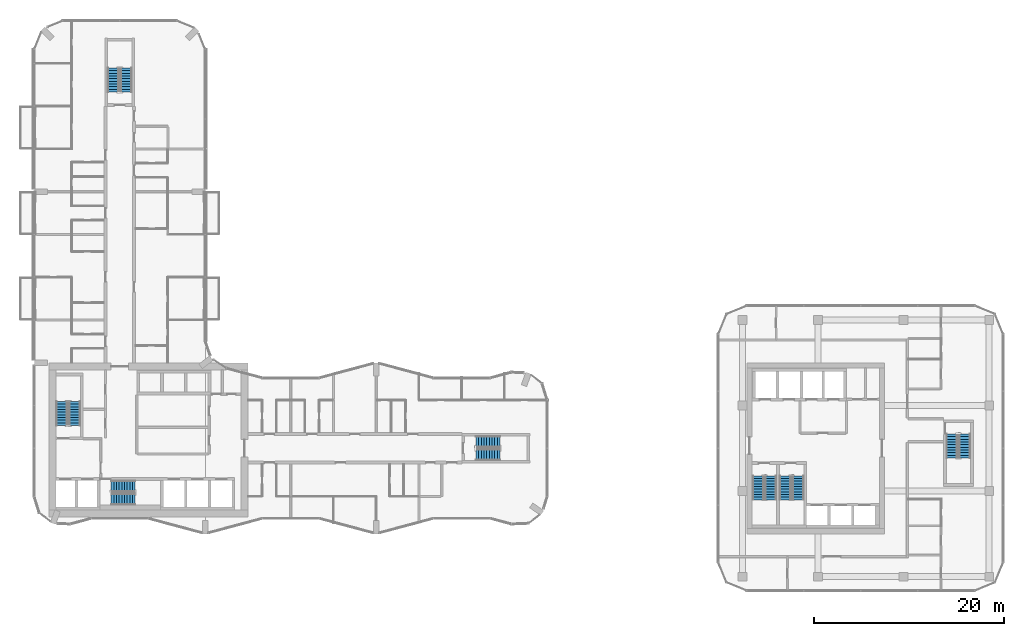
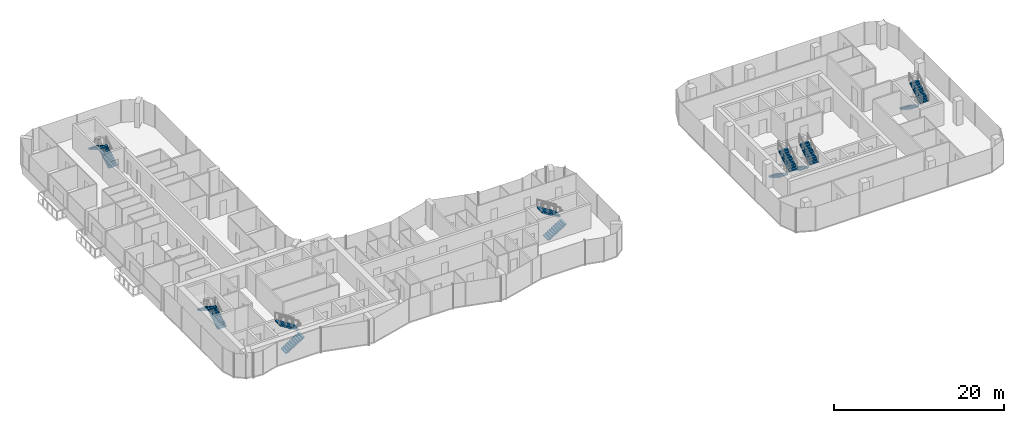
# One storey, part 20 of 23: 14 stair flights, 7 elements without a shape of their own.
"""IFC4 building model written with IfcOpenShell, lengths in metres."""

from ifc_helpers import new_model, si_unit, direction, frame, origin, place, context, subcontext, project, spatial, polyline, outline, extrude, material, type_object, element, aggregate, save


model = new_model("IFC4")

# Units and contexts
model_context = context("Model", 3, precision=1e-05, world=origin(), true_north=direction((0.0, 1.0)))
body_context = subcontext(model_context, "Body", "Model", "MODEL_VIEW")
ifc_project = project(units=[si_unit("LENGTHUNIT", "METRE"), si_unit("AREAUNIT", "SQUARE_METRE"), si_unit("VOLUMEUNIT", "CUBIC_METRE"), si_unit("PLANEANGLEUNIT", "RADIAN"), si_unit("MASSUNIT", "GRAM", prefix="KILO")], contexts=[model_context])

# Site, building, storey
site_placement = place(None, origin())
site = spatial("IfcSite", under=ifc_project, at=site_placement, CompositionType="ELEMENT")
building_placement = place(site_placement, origin())
building = spatial("IfcBuilding", under=site, at=building_placement, Name="Plateau Cross Towers", CompositionType="ELEMENT")
storey_placement = place(building_placement, frame((0.0, 0.0, 33.800048828125)))
storey = spatial("IfcBuildingStorey", under=building, at=storey_placement, Name="L07", CompositionType="ELEMENT", Elevation=33.800048828125)

# Stair, stair flights
ifc_material = material(Name="Concrete C40/50", Category="concrete")
stair_type = type_object("IfcStairType", Name="ST-TWR", PredefinedType="HALF_TURN_STAIR", material=ifc_material)
stair_1_placement = place(storey_placement, origin())
stair_1 = element("IfcStair", 1, at=stair_1_placement, inside=storey, type_object=stair_type, Name="L07 Protected Exit Stair ST-1", PredefinedType="HALF_TURN_STAIR")
stair_flight_type = type_object("IfcStairFlightType", Name="SFL-RC", PredefinedType="STRAIGHT", material=ifc_material)
stair_flight_1_placement = place(storey_placement, frame((4.25, 11.39990234375, 0.0), z_axis=(0.0, 0.0, 1.0), x_axis=(0.0, 1.0, 0.0)))
stair_flight_1 = element("IfcStairFlight", 2, at=stair_flight_1_placement, type_object=stair_flight_type, Name="ST-1 flight 1", NumberOfRisers=10, NumberOfTreads=9, PredefinedType="STRAIGHT", RiserHeight=0.175, TreadLength=0.28, context=body_context, shape_type="SweptSolid", body=[
    extrude(outline(polyline([(-0.0048828125, -0.010009765625), (-0.0048828125, 0.0), (0.0, 0.0), (0.0, 0.175048828125), (0.280029296875, 0.175048828125), (0.280029296875, 0.35009765625), (0.56005859375, 0.35009765625), (0.56005859375, 0.52490234375), (0.840087890625, 0.52490234375), (0.840087890625, 0.699951171875), (1.1201171875, 0.699951171875), (1.1201171875, 0.875), (1.39990234375, 0.875), (1.39990234375, 1.050048828125), (1.679931640625, 1.050048828125), (1.679931640625, 1.22509765625), (1.9599609375, 1.22509765625), (1.9599609375, 1.39990234375), (2.239990234375, 1.39990234375), (2.239990234375, 1.574951171875), (2.52001953125, 1.574951171875), (2.52490234375, 1.56494140625), (2.52490234375, 1.398193359375), (2.52001953125, 1.398193359375), (0.28271484375, 0.0), (0.02001953125, 0.0), (0.02001953125, -0.010009765625), (-0.0048828125, -0.010009765625)])), frame((0.0, 0.60009765625, 0.0), z_axis=(0.0, -1.0, 0.0), x_axis=(1.0, 0.0, 0.0)), (0.0, 0.0, 1.0), 1.199951171875),
])
stair_flight_2_placement = place(storey_placement, frame((2.89990234375, 13.919921875, 1.75), z_axis=(0.0, 0.0, 1.0), x_axis=(0.0, -1.0, 0.0)))
stair_flight_2 = element("IfcStairFlight", 3, at=stair_flight_2_placement, type_object=stair_flight_type, Name="ST-1 flight 2", NumberOfRisers=10, NumberOfTreads=9, PredefinedType="STRAIGHT", RiserHeight=0.175, TreadLength=0.28, context=body_context, shape_type="SweptSolid", body=[
    extrude(outline(polyline([(-0.0048828125, -0.010009765625), (-0.0048828125, 0.0), (0.0, 0.0), (0.0, 0.175048828125), (0.280029296875, 0.175048828125), (0.280029296875, 0.35009765625), (0.56005859375, 0.35009765625), (0.56005859375, 0.52490234375), (0.840087890625, 0.52490234375), (0.840087890625, 0.699951171875), (1.1201171875, 0.699951171875), (1.1201171875, 0.875), (1.39990234375, 0.875), (1.39990234375, 1.050048828125), (1.679931640625, 1.050048828125), (1.679931640625, 1.22509765625), (1.9599609375, 1.22509765625), (1.9599609375, 1.39990234375), (2.239990234375, 1.39990234375), (2.239990234375, 1.574951171875), (2.52001953125, 1.574951171875), (2.52490234375, 1.56494140625), (2.52490234375, 1.398193359375), (2.52001953125, 1.398193359375), (0.28271484375, 0.0), (0.02001953125, 0.0), (0.02001953125, -0.010009765625), (-0.0048828125, -0.010009765625)])), frame((0.0, 0.60009765625, 0.0), z_axis=(0.0, -1.0, 0.0), x_axis=(1.0, 0.0, 0.0)), (0.0, 0.0, 1.0), 1.199951171875),
])
aggregate(stair_1, [stair_flight_1, stair_flight_2])

stair_2_placement = place(storey_placement, origin())
stair_2 = element("IfcStair", 4, at=stair_2_placement, inside=storey, type_object=stair_type, Name="L07 Protected Exit Stair ST-2", PredefinedType="HALF_TURN_STAIR")
stair_flight_3_placement = place(storey_placement, frame((8.10009765625, 3.64990234375, 0.0), z_axis=(0.0, 0.0, 1.0), x_axis=(1.0, 0.0, 0.0)))
stair_flight_3 = element("IfcStairFlight", 5, at=stair_flight_3_placement, type_object=stair_flight_type, Name="ST-2 flight 1", NumberOfRisers=10, NumberOfTreads=9, PredefinedType="STRAIGHT", RiserHeight=0.175, TreadLength=0.28, context=body_context, shape_type="SweptSolid", body=[
    extrude(outline(polyline([(-0.0048828125, -0.010009765625), (-0.0048828125, 0.0), (0.0, 0.0), (0.0, 0.175048828125), (0.280029296875, 0.175048828125), (0.280029296875, 0.35009765625), (0.56005859375, 0.35009765625), (0.56005859375, 0.52490234375), (0.840087890625, 0.52490234375), (0.840087890625, 0.699951171875), (1.1201171875, 0.699951171875), (1.1201171875, 0.875), (1.39990234375, 0.875), (1.39990234375, 1.050048828125), (1.679931640625, 1.050048828125), (1.679931640625, 1.22509765625), (1.9599609375, 1.22509765625), (1.9599609375, 1.39990234375), (2.239990234375, 1.39990234375), (2.239990234375, 1.574951171875), (2.52001953125, 1.574951171875), (2.52490234375, 1.56494140625), (2.52490234375, 1.398193359375), (2.52001953125, 1.398193359375), (0.28271484375, 0.0), (0.02001953125, 0.0), (0.02001953125, -0.010009765625), (-0.0048828125, -0.010009765625)])), frame((0.0, 0.60009765625, 0.0), z_axis=(0.0, -1.0, 0.0), x_axis=(1.0, 0.0, 0.0)), (0.0, 0.0, 1.0), 1.199951171875),
])
stair_flight_4_placement = place(storey_placement, frame((10.6201171875, 5.0, 1.75), z_axis=(0.0, 0.0, 1.0), x_axis=(-1.0, 0.0, 0.0)))
stair_flight_4 = element("IfcStairFlight", 6, at=stair_flight_4_placement, type_object=stair_flight_type, Name="ST-2 flight 2", NumberOfRisers=10, NumberOfTreads=9, PredefinedType="STRAIGHT", RiserHeight=0.175, TreadLength=0.28, context=body_context, shape_type="SweptSolid", body=[
    extrude(outline(polyline([(-0.0048828125, -0.010009765625), (-0.0048828125, 0.0), (0.0, 0.0), (0.0, 0.175048828125), (0.280029296875, 0.175048828125), (0.280029296875, 0.35009765625), (0.56005859375, 0.35009765625), (0.56005859375, 0.52490234375), (0.840087890625, 0.52490234375), (0.840087890625, 0.699951171875), (1.1201171875, 0.699951171875), (1.1201171875, 0.875), (1.39990234375, 0.875), (1.39990234375, 1.050048828125), (1.679931640625, 1.050048828125), (1.679931640625, 1.22509765625), (1.9599609375, 1.22509765625), (1.9599609375, 1.39990234375), (2.239990234375, 1.39990234375), (2.239990234375, 1.574951171875), (2.52001953125, 1.574951171875), (2.52490234375, 1.56494140625), (2.52490234375, 1.398193359375), (2.52001953125, 1.398193359375), (0.28271484375, 0.0), (0.02001953125, 0.0), (0.02001953125, -0.010009765625), (-0.0048828125, -0.010009765625)])), frame((0.0, 0.60009765625, 0.0), z_axis=(0.0, -1.0, 0.0), x_axis=(1.0, 0.0, 0.0)), (0.0, 0.0, 1.0), 1.199951171875),
])
aggregate(stair_2, [stair_flight_3, stair_flight_4])

stair_3_placement = place(storey_placement, origin())
stair_3 = element("IfcStair", 7, at=stair_3_placement, inside=storey, type_object=stair_type, Name="L07 Protected Exit Stair SB-1", PredefinedType="HALF_TURN_STAIR")
stair_flight_5_placement = place(storey_placement, frame((76.199951171875, 6.10009765625, 0.0), z_axis=(0.0, 0.0, 1.0), x_axis=(0.0, -1.0, 0.0)))
stair_flight_5 = element("IfcStairFlight", 8, at=stair_flight_5_placement, type_object=stair_flight_type, Name="SB-1 flight 1", NumberOfRisers=10, NumberOfTreads=9, PredefinedType="STRAIGHT", RiserHeight=0.175, TreadLength=0.28, context=body_context, shape_type="SweptSolid", body=[
    extrude(outline(polyline([(-0.0048828125, -0.010009765625), (-0.0048828125, 0.0), (0.0, 0.0), (0.0, 0.175048828125), (0.280029296875, 0.175048828125), (0.280029296875, 0.35009765625), (0.56005859375, 0.35009765625), (0.56005859375, 0.52490234375), (0.840087890625, 0.52490234375), (0.840087890625, 0.699951171875), (1.1201171875, 0.699951171875), (1.1201171875, 0.875), (1.39990234375, 0.875), (1.39990234375, 1.050048828125), (1.679931640625, 1.050048828125), (1.679931640625, 1.22509765625), (1.9599609375, 1.22509765625), (1.9599609375, 1.39990234375), (2.239990234375, 1.39990234375), (2.239990234375, 1.574951171875), (2.52001953125, 1.574951171875), (2.52490234375, 1.56494140625), (2.52490234375, 1.398193359375), (2.52001953125, 1.398193359375), (0.28271484375, 0.0), (0.02001953125, 0.0), (0.02001953125, -0.010009765625), (-0.0048828125, -0.010009765625)])), frame((0.0, 0.60009765625, 0.0), z_axis=(0.0, -1.0, 0.0), x_axis=(1.0, 0.0, 0.0)), (0.0, 0.0, 1.0), 1.199951171875),
])
stair_flight_6_placement = place(storey_placement, frame((77.550048828125, 3.580078125, 1.75), z_axis=(0.0, 0.0, 1.0), x_axis=(0.0, 1.0, 0.0)))
stair_flight_6 = element("IfcStairFlight", 9, at=stair_flight_6_placement, type_object=stair_flight_type, Name="SB-1 flight 2", NumberOfRisers=10, NumberOfTreads=9, PredefinedType="STRAIGHT", RiserHeight=0.175, TreadLength=0.28, context=body_context, shape_type="SweptSolid", body=[
    extrude(outline(polyline([(-0.0048828125, -0.010009765625), (-0.0048828125, 0.0), (0.0, 0.0), (0.0, 0.175048828125), (0.280029296875, 0.175048828125), (0.280029296875, 0.35009765625), (0.56005859375, 0.35009765625), (0.56005859375, 0.52490234375), (0.840087890625, 0.52490234375), (0.840087890625, 0.699951171875), (1.1201171875, 0.699951171875), (1.1201171875, 0.875), (1.39990234375, 0.875), (1.39990234375, 1.050048828125), (1.679931640625, 1.050048828125), (1.679931640625, 1.22509765625), (1.9599609375, 1.22509765625), (1.9599609375, 1.39990234375), (2.239990234375, 1.39990234375), (2.239990234375, 1.574951171875), (2.52001953125, 1.574951171875), (2.52490234375, 1.56494140625), (2.52490234375, 1.398193359375), (2.52001953125, 1.398193359375), (0.28271484375, 0.0), (0.02001953125, 0.0), (0.02001953125, -0.010009765625), (-0.0048828125, -0.010009765625)])), frame((0.0, 0.60009765625, 0.0), z_axis=(0.0, -1.0, 0.0), x_axis=(1.0, 0.0, 0.0)), (0.0, 0.0, 1.0), 1.199951171875),
])
aggregate(stair_3, [stair_flight_5, stair_flight_6])

stair_4_placement = place(storey_placement, origin())
stair_4 = element("IfcStair", 10, at=stair_4_placement, inside=storey, type_object=stair_type, Name="L07 Protected Exit Stair SB-2", PredefinedType="HALF_TURN_STAIR")
stair_flight_7_placement = place(storey_placement, frame((79.050048828125, 6.10009765625, 0.0), z_axis=(0.0, 0.0, 1.0), x_axis=(0.0, -1.0, 0.0)))
stair_flight_7 = element("IfcStairFlight", 11, at=stair_flight_7_placement, type_object=stair_flight_type, Name="SB-2 flight 1", NumberOfRisers=10, NumberOfTreads=9, PredefinedType="STRAIGHT", RiserHeight=0.175, TreadLength=0.28, context=body_context, shape_type="SweptSolid", body=[
    extrude(outline(polyline([(-0.0048828125, -0.010009765625), (-0.0048828125, 0.0), (0.0, 0.0), (0.0, 0.175048828125), (0.280029296875, 0.175048828125), (0.280029296875, 0.35009765625), (0.56005859375, 0.35009765625), (0.56005859375, 0.52490234375), (0.840087890625, 0.52490234375), (0.840087890625, 0.699951171875), (1.1201171875, 0.699951171875), (1.1201171875, 0.875), (1.39990234375, 0.875), (1.39990234375, 1.050048828125), (1.679931640625, 1.050048828125), (1.679931640625, 1.22509765625), (1.9599609375, 1.22509765625), (1.9599609375, 1.39990234375), (2.239990234375, 1.39990234375), (2.239990234375, 1.574951171875), (2.52001953125, 1.574951171875), (2.52490234375, 1.56494140625), (2.52490234375, 1.398193359375), (2.52001953125, 1.398193359375), (0.28271484375, 0.0), (0.02001953125, 0.0), (0.02001953125, -0.010009765625), (-0.0048828125, -0.010009765625)])), frame((0.0, 0.60009765625, 0.0), z_axis=(0.0, -1.0, 0.0), x_axis=(1.0, 0.0, 0.0)), (0.0, 0.0, 1.0), 1.199951171875),
])
stair_flight_8_placement = place(storey_placement, frame((80.39990234375, 3.580078125, 1.75), z_axis=(0.0, 0.0, 1.0), x_axis=(0.0, 1.0, 0.0)))
stair_flight_8 = element("IfcStairFlight", 12, at=stair_flight_8_placement, type_object=stair_flight_type, Name="SB-2 flight 2", NumberOfRisers=10, NumberOfTreads=9, PredefinedType="STRAIGHT", RiserHeight=0.175, TreadLength=0.28, context=body_context, shape_type="SweptSolid", body=[
    extrude(outline(polyline([(-0.0048828125, -0.010009765625), (-0.0048828125, 0.0), (0.0, 0.0), (0.0, 0.175048828125), (0.280029296875, 0.175048828125), (0.280029296875, 0.35009765625), (0.56005859375, 0.35009765625), (0.56005859375, 0.52490234375), (0.840087890625, 0.52490234375), (0.840087890625, 0.699951171875), (1.1201171875, 0.699951171875), (1.1201171875, 0.875), (1.39990234375, 0.875), (1.39990234375, 1.050048828125), (1.679931640625, 1.050048828125), (1.679931640625, 1.22509765625), (1.9599609375, 1.22509765625), (1.9599609375, 1.39990234375), (2.239990234375, 1.39990234375), (2.239990234375, 1.574951171875), (2.52001953125, 1.574951171875), (2.52490234375, 1.56494140625), (2.52490234375, 1.398193359375), (2.52001953125, 1.398193359375), (0.28271484375, 0.0), (0.02001953125, 0.0), (0.02001953125, -0.010009765625), (-0.0048828125, -0.010009765625)])), frame((0.0, 0.60009765625, 0.0), z_axis=(0.0, -1.0, 0.0), x_axis=(1.0, 0.0, 0.0)), (0.0, 0.0, 1.0), 1.199951171875),
])
aggregate(stair_4, [stair_flight_7, stair_flight_8])

stair_5_placement = place(storey_placement, origin())
stair_5 = element("IfcStair", 13, at=stair_5_placement, inside=storey, type_object=stair_type, Name="L07 Protected Exit Stair SB-3", PredefinedType="HALF_TURN_STAIR")
stair_flight_9_placement = place(storey_placement, frame((96.60009765625, 10.5, 0.0), z_axis=(0.0, 0.0, 1.0), x_axis=(0.0, -1.0, 0.0)))
stair_flight_9 = element("IfcStairFlight", 14, at=stair_flight_9_placement, type_object=stair_flight_type, Name="SB-3 flight 1", NumberOfRisers=10, NumberOfTreads=9, PredefinedType="STRAIGHT", RiserHeight=0.175, TreadLength=0.28, context=body_context, shape_type="SweptSolid", body=[
    extrude(outline(polyline([(-0.0048828125, -0.010009765625), (-0.0048828125, 0.0), (0.0, 0.0), (0.0, 0.175048828125), (0.280029296875, 0.175048828125), (0.280029296875, 0.35009765625), (0.56005859375, 0.35009765625), (0.56005859375, 0.52490234375), (0.840087890625, 0.52490234375), (0.840087890625, 0.699951171875), (1.1201171875, 0.699951171875), (1.1201171875, 0.875), (1.39990234375, 0.875), (1.39990234375, 1.050048828125), (1.679931640625, 1.050048828125), (1.679931640625, 1.22509765625), (1.9599609375, 1.22509765625), (1.9599609375, 1.39990234375), (2.239990234375, 1.39990234375), (2.239990234375, 1.574951171875), (2.52001953125, 1.574951171875), (2.52490234375, 1.56494140625), (2.52490234375, 1.398193359375), (2.52001953125, 1.398193359375), (0.28271484375, 0.0), (0.02001953125, 0.0), (0.02001953125, -0.010009765625), (-0.0048828125, -0.010009765625)])), frame((0.0, 0.60009765625, 0.0), z_axis=(0.0, -1.0, 0.0), x_axis=(1.0, 0.0, 0.0)), (0.0, 0.0, 1.0), 1.199951171875),
])
stair_flight_10_placement = place(storey_placement, frame((97.949951171875, 7.97998046875, 1.75), z_axis=(0.0, 0.0, 1.0), x_axis=(0.0, 1.0, 0.0)))
stair_flight_10 = element("IfcStairFlight", 15, at=stair_flight_10_placement, type_object=stair_flight_type, Name="SB-3 flight 2", NumberOfRisers=10, NumberOfTreads=9, PredefinedType="STRAIGHT", RiserHeight=0.175, TreadLength=0.28, context=body_context, shape_type="SweptSolid", body=[
    extrude(outline(polyline([(-0.0048828125, -0.010009765625), (-0.0048828125, 0.0), (0.0, 0.0), (0.0, 0.175048828125), (0.280029296875, 0.175048828125), (0.280029296875, 0.35009765625), (0.56005859375, 0.35009765625), (0.56005859375, 0.52490234375), (0.840087890625, 0.52490234375), (0.840087890625, 0.699951171875), (1.1201171875, 0.699951171875), (1.1201171875, 0.875), (1.39990234375, 0.875), (1.39990234375, 1.050048828125), (1.679931640625, 1.050048828125), (1.679931640625, 1.22509765625), (1.9599609375, 1.22509765625), (1.9599609375, 1.39990234375), (2.239990234375, 1.39990234375), (2.239990234375, 1.574951171875), (2.52001953125, 1.574951171875), (2.52490234375, 1.56494140625), (2.52490234375, 1.398193359375), (2.52001953125, 1.398193359375), (0.28271484375, 0.0), (0.02001953125, 0.0), (0.02001953125, -0.010009765625), (-0.0048828125, -0.010009765625)])), frame((0.0, 0.60009765625, 0.0), z_axis=(0.0, -1.0, 0.0), x_axis=(1.0, 0.0, 0.0)), (0.0, 0.0, 1.0), 1.199951171875),
])
aggregate(stair_5, [stair_flight_9, stair_flight_10])

stair_6_placement = place(storey_placement, origin())
stair_6 = element("IfcStair", 16, at=stair_6_placement, inside=storey, type_object=stair_type, Name="L07 Protected Exit Stair E", PredefinedType="HALF_TURN_STAIR")
stair_flight_11_placement = place(storey_placement, frame((46.5, 8.324951171875, 0.0), z_axis=(0.0, 0.0, 1.0), x_axis=(1.0, 0.0, 0.0)))
stair_flight_11 = element("IfcStairFlight", 17, at=stair_flight_11_placement, type_object=stair_flight_type, Name="ES-E flight 1", NumberOfRisers=10, NumberOfTreads=9, PredefinedType="STRAIGHT", RiserHeight=0.175, TreadLength=0.28, context=body_context, shape_type="SweptSolid", body=[
    extrude(outline(polyline([(-0.0048828125, -0.010009765625), (-0.0048828125, 0.0), (0.0, 0.0), (0.0, 0.175048828125), (0.280029296875, 0.175048828125), (0.280029296875, 0.35009765625), (0.56005859375, 0.35009765625), (0.56005859375, 0.52490234375), (0.840087890625, 0.52490234375), (0.840087890625, 0.699951171875), (1.1201171875, 0.699951171875), (1.1201171875, 0.875), (1.39990234375, 0.875), (1.39990234375, 1.050048828125), (1.679931640625, 1.050048828125), (1.679931640625, 1.22509765625), (1.9599609375, 1.22509765625), (1.9599609375, 1.39990234375), (2.239990234375, 1.39990234375), (2.239990234375, 1.574951171875), (2.52001953125, 1.574951171875), (2.52490234375, 1.56494140625), (2.52490234375, 1.398193359375), (2.52001953125, 1.398193359375), (0.28271484375, 0.0), (0.02001953125, 0.0), (0.02001953125, -0.010009765625), (-0.0048828125, -0.010009765625)])), frame((0.0, 0.60009765625, 0.0), z_axis=(0.0, -1.0, 0.0), x_axis=(1.0, 0.0, 0.0)), (0.0, 0.0, 1.0), 1.199951171875),
])
stair_flight_12_placement = place(storey_placement, frame((49.02001953125, 9.675048828125, 1.75), z_axis=(0.0, 0.0, 1.0), x_axis=(-1.0, 0.0, 0.0)))
stair_flight_12 = element("IfcStairFlight", 18, at=stair_flight_12_placement, type_object=stair_flight_type, Name="ES-E flight 2", NumberOfRisers=10, NumberOfTreads=9, PredefinedType="STRAIGHT", RiserHeight=0.175, TreadLength=0.28, context=body_context, shape_type="SweptSolid", body=[
    extrude(outline(polyline([(-0.0048828125, -0.010009765625), (-0.0048828125, 0.0), (0.0, 0.0), (0.0, 0.175048828125), (0.280029296875, 0.175048828125), (0.280029296875, 0.35009765625), (0.56005859375, 0.35009765625), (0.56005859375, 0.52490234375), (0.840087890625, 0.52490234375), (0.840087890625, 0.699951171875), (1.1201171875, 0.699951171875), (1.1201171875, 0.875), (1.39990234375, 0.875), (1.39990234375, 1.050048828125), (1.679931640625, 1.050048828125), (1.679931640625, 1.22509765625), (1.9599609375, 1.22509765625), (1.9599609375, 1.39990234375), (2.239990234375, 1.39990234375), (2.239990234375, 1.574951171875), (2.52001953125, 1.574951171875), (2.52490234375, 1.56494140625), (2.52490234375, 1.398193359375), (2.52001953125, 1.398193359375), (0.28271484375, 0.0), (0.02001953125, 0.0), (0.02001953125, -0.010009765625), (-0.0048828125, -0.010009765625)])), frame((0.0, 0.60009765625, 0.0), z_axis=(0.0, -1.0, 0.0), x_axis=(1.0, 0.0, 0.0)), (0.0, 0.0, 1.0), 1.199951171875),
])
aggregate(stair_6, [stair_flight_11, stair_flight_12])

stair_7_placement = place(storey_placement, origin())
stair_7 = element("IfcStair", 19, at=stair_7_placement, inside=storey, type_object=stair_type, Name="L07 Protected Exit Stair N", PredefinedType="HALF_TURN_STAIR")
stair_flight_13_placement = place(storey_placement, frame((9.675048828125, 46.5, 0.0), z_axis=(0.0, 0.0, 1.0), x_axis=(0.0, 1.0, 0.0)))
stair_flight_13 = element("IfcStairFlight", 20, at=stair_flight_13_placement, type_object=stair_flight_type, Name="ES-N flight 1", NumberOfRisers=10, NumberOfTreads=9, PredefinedType="STRAIGHT", RiserHeight=0.175, TreadLength=0.28, context=body_context, shape_type="SweptSolid", body=[
    extrude(outline(polyline([(-0.0048828125, -0.010009765625), (-0.0048828125, 0.0), (0.0, 0.0), (0.0, 0.175048828125), (0.280029296875, 0.175048828125), (0.280029296875, 0.35009765625), (0.56005859375, 0.35009765625), (0.56005859375, 0.52490234375), (0.840087890625, 0.52490234375), (0.840087890625, 0.699951171875), (1.1201171875, 0.699951171875), (1.1201171875, 0.875), (1.39990234375, 0.875), (1.39990234375, 1.050048828125), (1.679931640625, 1.050048828125), (1.679931640625, 1.22509765625), (1.9599609375, 1.22509765625), (1.9599609375, 1.39990234375), (2.239990234375, 1.39990234375), (2.239990234375, 1.574951171875), (2.52001953125, 1.574951171875), (2.52490234375, 1.56494140625), (2.52490234375, 1.398193359375), (2.52001953125, 1.398193359375), (0.28271484375, 0.0), (0.02001953125, 0.0), (0.02001953125, -0.010009765625), (-0.0048828125, -0.010009765625)])), frame((0.0, 0.60009765625, 0.0), z_axis=(0.0, -1.0, 0.0), x_axis=(1.0, 0.0, 0.0)), (0.0, 0.0, 1.0), 1.199951171875),
])
stair_flight_14_placement = place(storey_placement, frame((8.324951171875, 49.02001953125, 1.75), z_axis=(0.0, 0.0, 1.0), x_axis=(0.0, -1.0, 0.0)))
stair_flight_14 = element("IfcStairFlight", 21, at=stair_flight_14_placement, type_object=stair_flight_type, Name="ES-N flight 2", NumberOfRisers=10, NumberOfTreads=9, PredefinedType="STRAIGHT", RiserHeight=0.175, TreadLength=0.28, context=body_context, shape_type="SweptSolid", body=[
    extrude(outline(polyline([(-0.0048828125, -0.010009765625), (-0.0048828125, 0.0), (0.0, 0.0), (0.0, 0.175048828125), (0.280029296875, 0.175048828125), (0.280029296875, 0.35009765625), (0.56005859375, 0.35009765625), (0.56005859375, 0.52490234375), (0.840087890625, 0.52490234375), (0.840087890625, 0.699951171875), (1.1201171875, 0.699951171875), (1.1201171875, 0.875), (1.39990234375, 0.875), (1.39990234375, 1.050048828125), (1.679931640625, 1.050048828125), (1.679931640625, 1.22509765625), (1.9599609375, 1.22509765625), (1.9599609375, 1.39990234375), (2.239990234375, 1.39990234375), (2.239990234375, 1.574951171875), (2.52001953125, 1.574951171875), (2.52490234375, 1.56494140625), (2.52490234375, 1.398193359375), (2.52001953125, 1.398193359375), (0.28271484375, 0.0), (0.02001953125, 0.0), (0.02001953125, -0.010009765625), (-0.0048828125, -0.010009765625)])), frame((0.0, 0.60009765625, 0.0), z_axis=(0.0, -1.0, 0.0), x_axis=(1.0, 0.0, 0.0)), (0.0, 0.0, 1.0), 1.199951171875),
])
aggregate(stair_7, [stair_flight_13, stair_flight_14])

save(model, "model.ifc")
